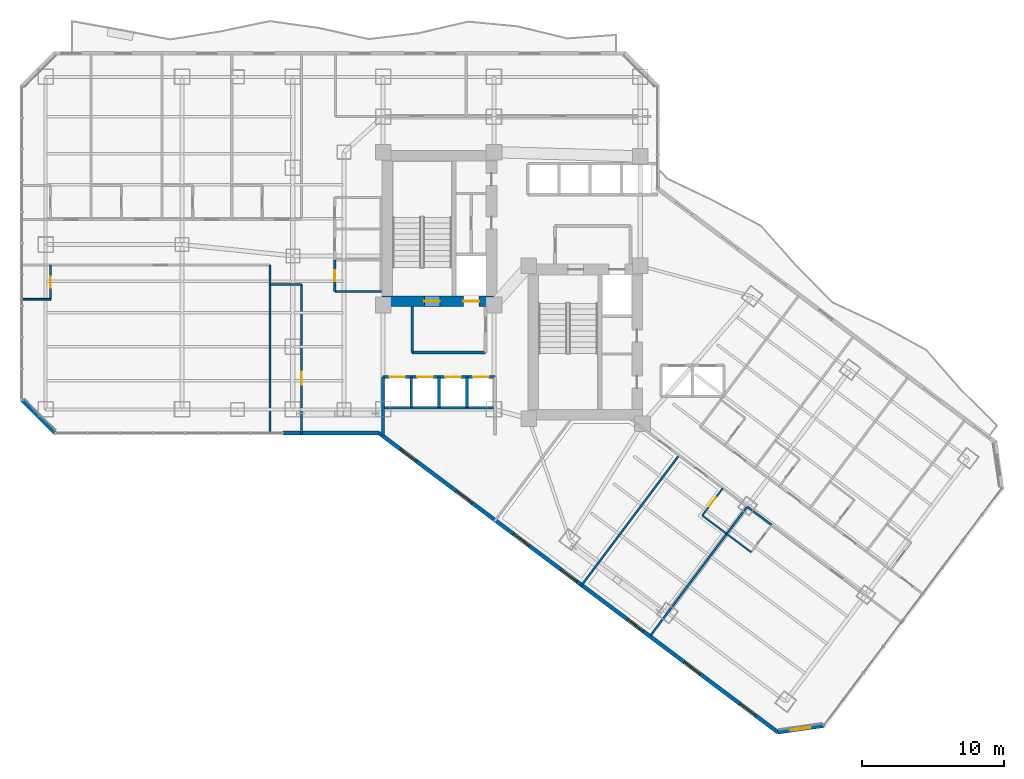
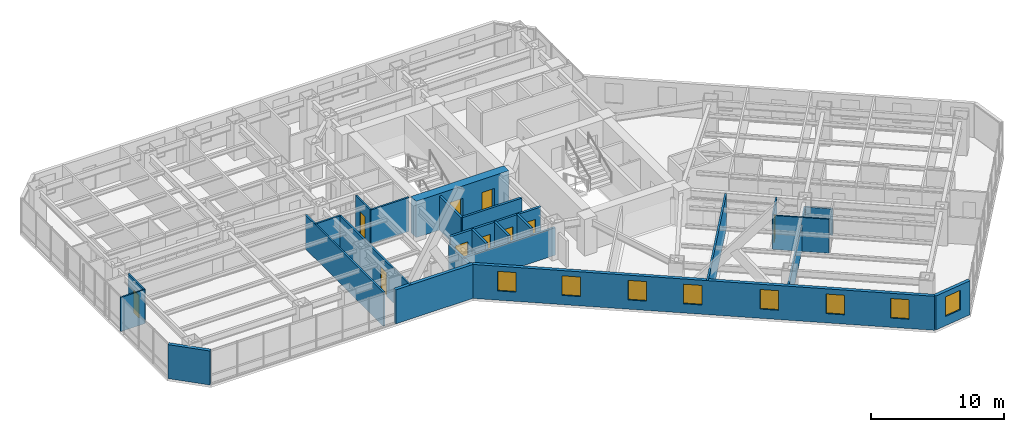
# One storey, part 23 of 33: 26 walls, 10 doors, 8 windows, 18 openings.
"""IFC4 building model written with IfcOpenShell, lengths in metres."""

import ifcopenshell
import ifcopenshell.guid

model = None  # the IFC model being written
_history = None  # IfcOwnerHistory: only IFC2X3 demands one
_inside = {}  # id of a spatial element -> (the spatial element, [elements in it])
_under = {}  # id of a project, library or spatial element -> (it, [spatial elements below it])
_declared = {}  # id of a project -> (the project, [libraries it declares])
_typed = {}  # id of a type object -> (the type object, [elements of that type])
_made_of = {}  # id of a material, layer set ... -> (it, [elements and type objects made of it])


def new_model(schema):
    """Start an empty IFC model of exactly this schema.

    Asked for "IFC4X3", IfcOpenShell would pick the latest addendum, in which some entities
    have other attributes; the version numbers below select the first issue.
    IFC2X3 requires an IfcOwnerHistory on every rooted entity: one is made here for all.
    """
    global model, _history
    if schema == "IFC4X3":
        model = ifcopenshell.file(schema_version=(4, 3, 0, 0))
    else:
        model = ifcopenshell.file(schema=schema)
    _inside.clear()
    _under.clear()
    _declared.clear()
    _typed.clear()
    _made_of.clear()
    _history = None
    if model.schema == "IFC2X3":
        org = make("IfcOrganization", Name="unknown")
        user = make(
            "IfcPersonAndOrganization",
            ThePerson=make("IfcPerson", FamilyName="unknown"),
            TheOrganization=org,
        )
        app = make(
            "IfcApplication",
            ApplicationDeveloper=org,
            Version="unknown",
            ApplicationFullName="unknown",
            ApplicationIdentifier="unknown",
        )
        _history = make(
            "IfcOwnerHistory",
            OwningUser=user,
            OwningApplication=app,
            ChangeAction="ADDED",
            CreationDate=0,
        )
    return model


def make(cls, **values):
    """One entity of the class cls with the attributes given. An attribute that is None is left unset."""
    return model.create_entity(
        cls, **{name: value for name, value in values.items() if value is not None}
    )


def rooted(cls, **values):
    """An entity with a GlobalId (a new one), such as an element, a storey or a relation."""
    return make(cls, GlobalId=ifcopenshell.guid.new(), OwnerHistory=_history, **values)


def si_unit(unit_type, name, prefix=None):
    """IfcSIUnit, for example si_unit("LENGTHUNIT", "METRE", prefix="MILLI")."""
    return make("IfcSIUnit", UnitType=unit_type, Prefix=prefix, Name=name)


def assignment(units):
    """IfcUnitAssignment: the units of a project."""
    return None if units is None else make("IfcUnitAssignment", Units=units)


def point(xyz):
    """IfcCartesianPoint."""
    return None if xyz is None else make("IfcCartesianPoint", Coordinates=xyz)


def direction(xyz):
    """IfcDirection."""
    return None if xyz is None else make("IfcDirection", DirectionRatios=xyz)


def frame(location, z_axis=None, x_axis=None):
    """IfcAxis2Placement3D, a coordinate frame: its origin and axes. An axis left out is left unset."""
    return make(
        "IfcAxis2Placement3D",
        Location=point(location),
        Axis=direction(z_axis),
        RefDirection=direction(x_axis),
    )


def frame_2d(location, x_axis=None):
    """IfcAxis2Placement2D, a coordinate frame in the plane: its origin and x axis."""
    return make(
        "IfcAxis2Placement2D", Location=point(location), RefDirection=direction(x_axis)
    )


def origin():
    """The frame at (0, 0, 0) with its axes left unset."""
    return frame((0.0, 0.0, 0.0))


def place(relative_to, where):
    """IfcLocalPlacement: puts the frame where relative to a parent placement (None: the world)."""
    return make(
        "IfcLocalPlacement", PlacementRelTo=relative_to, RelativePlacement=where
    )


def context(
    kind, dimensions, precision=None, world=None, true_north=None, identifier=None
):
    """IfcGeometricRepresentationContext, for example the 3D "Model" context."""
    return make(
        "IfcGeometricRepresentationContext",
        ContextIdentifier=identifier,
        ContextType=kind,
        CoordinateSpaceDimension=dimensions,
        Precision=precision,
        WorldCoordinateSystem=world,
        TrueNorth=true_north,
    )


def subcontext(parent, identifier, kind, view, scale=None):
    """IfcGeometricRepresentationSubContext, for example "Body" below "Model"."""
    return make(
        "IfcGeometricRepresentationSubContext",
        ContextIdentifier=identifier,
        ContextType=kind,
        ParentContext=parent,
        TargetScale=scale,
        TargetView=view,
    )


def project(units=None, contexts=None):
    """IfcProject with its units and contexts."""
    return rooted(
        "IfcProject",
        Name="project",
        RepresentationContexts=contexts,
        UnitsInContext=assignment(units),
    )


def spatial(cls, under=None, at=None, **own):
    """A site, building, storey or space (cls), placed at a placement, below another one or the project."""
    s = rooted(cls, ObjectPlacement=at, **own)
    if under is not None:
        _under.setdefault(under.id(), (under, []))[1].append(s)
    return s


def profile(cls, at=None, kind="AREA", **sizes):
    """A parametric profile (cls). Its sizes go by their IFC names, for example OverallWidth=200.0."""
    return make(cls, ProfileType=kind, Position=at, **sizes)


def rectangle(**sizes):
    """IfcRectangleProfileDef."""
    return profile("IfcRectangleProfileDef", **sizes)


def extrude(swept, where, along, depth):
    """IfcExtrudedAreaSolid: the profile swept, set in the frame where, extruded along a direction by depth."""
    return make(
        "IfcExtrudedAreaSolid",
        SweptArea=swept,
        Position=where,
        ExtrudedDirection=direction(along),
        Depth=depth,
    )


def shape(context_of_items, identifier, shape_type, items):
    """IfcShapeRepresentation: the items that make up one representation, for example the "Body"."""
    return make(
        "IfcShapeRepresentation",
        ContextOfItems=context_of_items,
        RepresentationIdentifier=identifier,
        RepresentationType=shape_type,
        Items=items,
    )


def material(Name=None, Category=None):
    """IfcMaterial."""
    return make("IfcMaterial", Name=Name, Category=Category)


def layer(
    of_material, thickness, ventilated=None, Name=None, Category=None, Priority=None
):
    """IfcMaterialLayer: one layer of a wall or slab, of a material (None: an air gap)."""
    return make(
        "IfcMaterialLayer",
        Material=of_material,
        LayerThickness=thickness,
        IsVentilated=ventilated,
        Name=Name,
        Category=Category,
        Priority=Priority,
    )


def layer_set(layers, Name=None):
    """IfcMaterialLayerSet."""
    return make("IfcMaterialLayerSet", MaterialLayers=layers, LayerSetName=Name)


def made_of(thing, what):
    """Note that an element or type object is made of a material, layer set ...; save() writes the relation."""
    if what is not None:
        _made_of.setdefault(what.id(), (what, []))[1].append(thing)
    return thing


def type_object(cls, material=None, **own):
    """A type object (cls), such as IfcWallType, which elements share."""
    return made_of(rooted(cls, **own), material)


def element(
    cls,
    number,
    at=None,
    inside=None,
    cuts=None,
    type_object=None,
    material=None,
    context=None,
    identifier="Body",
    shape_type=None,
    held_by="IfcProductDefinitionShape",
    body=None,
    shapes=None,
    **own,
):
    """One element of the class cls, such as IfcWall. Its Tag is "e" and its number.

    at: its placement. inside: the storey or other place that contains it. cuts: it is an
    opening in that element (IfcRelVoidsElement). A single representation is given by context,
    identifier, shape_type and body (its items); several are given by shapes. held_by: the class
    of the entity that holds the representations. save() writes the other relations.
    """
    e = rooted(cls, Tag="e%d" % number, ObjectPlacement=at, **own)
    if body is not None:
        shapes = [shape(context, identifier, shape_type, body)]
    if shapes is not None:
        e.Representation = make(held_by, Representations=shapes)
    if inside is not None:
        _inside.setdefault(inside.id(), (inside, []))[1].append(e)
    if cuts is not None:
        rooted(
            "IfcRelVoidsElement", RelatingBuildingElement=cuts, RelatedOpeningElement=e
        )
    if type_object is not None:
        _typed.setdefault(type_object.id(), (type_object, []))[1].append(e)
    return made_of(e, material)


def fill(opening, filler):
    """IfcRelFillsElement: the door or window that sits in an opening."""
    return rooted(
        "IfcRelFillsElement",
        RelatingOpeningElement=opening,
        RelatedBuildingElement=filler,
    )


def aggregate(whole, parts):
    """IfcRelAggregates: a whole, such as a stair, and the parts it consists of."""
    return rooted("IfcRelAggregates", RelatingObject=whole, RelatedObjects=parts)


def save(model, path):
    """Write the relations noted so far, then the file.

    IfcRelAggregates (storeys below a building ...), IfcRelContainedInSpatialStructure (elements
    in a storey), IfcRelDefinesByType, IfcRelAssociatesMaterial and IfcRelDeclares: one each for
    every whole, place, type object, material and project.
    """
    for whole, parts in _under.values():
        aggregate(whole, parts)
    for where, things in _inside.values():
        rooted(
            "IfcRelContainedInSpatialStructure",
            RelatedElements=things,
            RelatingStructure=where,
        )
    for kind, things in _typed.values():
        rooted("IfcRelDefinesByType", RelatedObjects=things, RelatingType=kind)
    for what, things in _made_of.values():
        rooted("IfcRelAssociatesMaterial", RelatedObjects=things, RelatingMaterial=what)
    for by, libraries in _declared.values():
        rooted("IfcRelDeclares", RelatingContext=by, RelatedDefinitions=libraries)
    model.write(path)


model = new_model("IFC4")

# Units and contexts
model_context = context("Model", 3, precision=1e-05, world=origin(), true_north=direction((0.0, 1.0)))
body_context = subcontext(model_context, "Body", "Model", "MODEL_VIEW")
ifc_project = project(units=[si_unit("LENGTHUNIT", "METRE"), si_unit("AREAUNIT", "SQUARE_METRE"), si_unit("VOLUMEUNIT", "CUBIC_METRE"), si_unit("PLANEANGLEUNIT", "RADIAN"), si_unit("MASSUNIT", "GRAM", prefix="KILO")], contexts=[model_context])

# Site, building, storey
site_placement = place(None, origin())
site = spatial("IfcSite", under=ifc_project, at=site_placement, CompositionType="ELEMENT")
building_placement = place(site_placement, origin())
building = spatial("IfcBuilding", under=site, at=building_placement, Name="Hatsunagi Terrace Concourse", CompositionType="ELEMENT")
storey_placement = place(building_placement, frame((0.0, 0.0, 43.300048828125)))
storey = spatial("IfcBuildingStorey", under=building, at=storey_placement, Name="L10", CompositionType="ELEMENT", Elevation=43.300048828125)

# Wall, openings, doors
ifc_material_1 = material(Name="Concrete Fc60", Category="concrete")
ifc_layer_1 = layer(ifc_material_1, 0.75)
ifc_layer_set_1 = layer_set([ifc_layer_1], Name="CoreShearWall_Fc60_750")
wall_type_1 = type_object("IfcWallType", Name="CoreShearWall_Fc60_750", PredefinedType="SHEAR", material=ifc_layer_set_1)
wall_1_placement = place(storey_placement, frame((25.469970703125, 32.81494140625, 0.0), z_axis=(0.0, 0.0, 1.0), x_axis=(1.0, 0.0, 0.0)))
wall_1 = element("IfcWall", 1, at=wall_1_placement, inside=storey, type_object=wall_type_1, Name="Core A Shear Wall S L10", PredefinedType="SHEAR", context=body_context, shape_type="SweptSolid", body=[
    extrude(rectangle(XDim=8.080078125, YDim=0.75, at=frame_2d((4.0400390625, 0.0))), origin(), (0.0, 0.0, 1.0), 3.349853515625),
])
opening_1_placement = place(wall_1_placement, frame((2.97998046875, 0.0, 0.0)))
opening_1 = element("IfcOpeningElement", 2, at=opening_1_placement, cuts=wall_1, Name="Opening DR-110S", PredefinedType="OPENING", context=body_context, shape_type="SweptSolid", body=[
    extrude(rectangle(XDim=1.10009765625, YDim=2.199951171875, at=frame_2d((0.550048828125, 1.10009765625))), frame((0.0, 0.385009765625, 0.0), z_axis=(0.0, -1.0, 0.0), x_axis=(1.0, 0.0, 0.0)), (0.0, 0.0, 1.0), 0.77001953125),
])
opening_2_placement = place(wall_1_placement, frame((5.72998046875, 0.0, 0.0)))
opening_2 = element("IfcOpeningElement", 3, at=opening_2_placement, cuts=wall_1, Name="Opening LD-01", PredefinedType="OPENING", context=body_context, shape_type="SweptSolid", body=[
    extrude(rectangle(XDim=1.10009765625, YDim=2.14990234375, at=frame_2d((0.550048828125, 1.074951171875))), frame((0.0, 0.385009765625, 0.0), z_axis=(0.0, -1.0, 0.0), x_axis=(1.0, 0.0, 0.0)), (0.0, 0.0, 1.0), 0.77001953125),
])
ifc_material_2 = material(Name="Stainless steel", Category="steel")
door_type_1 = type_object("IfcDoorType", Name="LiftLandingDoor_LD01", OperationType="SLIDING_TO_LEFT", PredefinedType="USERDEFINED", material=ifc_material_2)
door_1_placement = place(opening_2_placement, origin())
door_1 = element("IfcDoor", 4, at=door_1_placement, inside=storey, type_object=door_type_1, Name="Lift landing door FF-01 L10", ObjectType="SLIDING_LANDING_DOOR", OperationType="SLIDING_TO_LEFT", OverallHeight=2.14990234375, OverallWidth=1.10009765625, PredefinedType="USERDEFINED", context=body_context, shape_type="SweptSolid", body=[
    extrude(rectangle(XDim=1.10009765625, YDim=2.14990234375, at=frame_2d((0.550048828125, 1.074951171875))), frame((0.0, 0.02490234375, 0.0), z_axis=(0.0, -1.0, 0.0), x_axis=(1.0, 0.0, 0.0)), (0.0, 0.0, 1.0), 0.050048828125),
])
fill(opening_2, door_1)
ifc_material_3 = material(Name="Painted steel", Category="steel")
door_type_2 = type_object("IfcDoorType", Name="StairFireDoor_EI60_1100", OperationType="NOTDEFINED", PredefinedType="DOOR", material=ifc_material_3)
door_2_placement = place(opening_1_placement, origin())
door_2 = element("IfcDoor", 5, at=door_2_placement, inside=storey, type_object=door_type_2, Name="Stair ST-A Exit Door L10", OperationType="SINGLE_SWING_LEFT", OverallHeight=2.199951171875, OverallWidth=1.10009765625, PredefinedType="DOOR", context=body_context, shape_type="SweptSolid", body=[
    extrude(rectangle(XDim=1.10009765625, YDim=2.199951171875, at=frame_2d((0.550048828125, 1.10009765625))), frame((0.0, 0.02490234375, 0.0), z_axis=(0.0, -1.0, 0.0), x_axis=(1.0, 0.0, 0.0)), (0.0, 0.0, 1.0), 0.050048828125),
])
fill(opening_1, door_2)

# Wall, opening, door
ifc_material_4 = material(Name="Acoustic mineral board", Category="gypsum")
ifc_layer_2 = layer(ifc_material_4, 0.1201171875)
ifc_layer_set_2 = layer_set([ifc_layer_2], Name="PartitionWall_EI30_120")
wall_type_2 = type_object("IfcWallType", Name="PartitionWall_EI30_120", PredefinedType="PARTITIONING", material=ifc_layer_set_2)
wall_2_placement = place(storey_placement, frame((2.14990234375, 32.949951171875, 0.0), z_axis=(0.0, 0.0, 1.0), x_axis=(0.0, 1.0, 0.0)))
wall_2 = element("IfcWall", 6, at=wall_2_placement, inside=storey, type_object=wall_type_2, Name="Interior Partition IW-L10-067", PredefinedType="PARTITIONING", context=body_context, shape_type="SweptSolid", body=[
    extrude(rectangle(XDim=2.400146484375, YDim=0.1201171875, at=frame_2d((1.2001953125, 0.0))), origin(), (0.0, 0.0, 1.0), 3.1298828125),
])
opening_3_placement = place(wall_2_placement, frame((0.800048828125, 0.0, 0.0)))
opening_3 = element("IfcOpeningElement", 7, at=opening_3_placement, cuts=wall_2, Name="Opening DR-080", PredefinedType="OPENING", context=body_context, shape_type="SweptSolid", body=[
    extrude(rectangle(XDim=0.800048828125, YDim=2.06005859375, at=frame_2d((0.39990234375, 1.030029296875))), frame((0.0, 0.070068359375, 0.0), z_axis=(0.0, -1.0, 0.0), x_axis=(1.0, 0.0, 0.0)), (0.0, 0.0, 1.0), 0.14013671875),
])
ifc_material_5 = material(Name="Hardwood timber", Category="wood")
door_type_3 = type_object("IfcDoorType", Name="BathroomDoor_800", OperationType="NOTDEFINED", PredefinedType="DOOR", material=ifc_material_5)
door_3_placement = place(opening_3_placement, origin())
door_3 = element("IfcDoor", 8, at=door_3_placement, inside=storey, type_object=door_type_3, Name="En-Suite Bathroom L10-S1 Door", OperationType="SINGLE_SWING_RIGHT", OverallHeight=2.06005859375, OverallWidth=0.800048828125, PredefinedType="DOOR", context=body_context, shape_type="SweptSolid", body=[
    extrude(rectangle(XDim=0.800048828125, YDim=2.06005859375, at=frame_2d((0.39990234375, 1.030029296875))), frame((0.0, 0.02490234375, 0.0), z_axis=(0.0, -1.0, 0.0), x_axis=(1.0, 0.0, 0.0)), (0.0, 0.0, 1.0), 0.050048828125),
])
fill(opening_3, door_3)

# Wall
wall_3_placement = place(storey_placement, frame((0.0400390625, 32.949951171875, 0.0), z_axis=(0.0, 0.0, 1.0), x_axis=(1.0, 0.0, 0.0)))
element("IfcWall", 9, at=wall_3_placement, inside=storey, type_object=wall_type_2, Name="Interior Partition IW-L10-068", PredefinedType="PARTITIONING", context=body_context, shape_type="SweptSolid", body=[
    extrude(rectangle(XDim=2.10986328125, YDim=0.1201171875, at=frame_2d((1.054931640625, 0.0))), origin(), (0.0, 0.0, 1.0), 3.1298828125),
])

# Wall, opening, door
wall_4_placement = place(storey_placement, frame((48.010009765625, 17.72998046875, 0.0), z_axis=(0.0, 0.0, 1.0), x_axis=(0.6, 0.8, 0.0)))
wall_4 = element("IfcWall", 10, at=wall_4_placement, inside=storey, type_object=wall_type_2, Name="Interior Partition IW-L10-094", PredefinedType="PARTITIONING", context=body_context, shape_type="SweptSolid", body=[
    extrude(rectangle(XDim=2.39990234375, YDim=0.1201171875, at=frame_2d((1.199951171875, 0.0))), origin(), (0.0, 0.0, 1.0), 3.1298828125),
])
opening_4_placement = place(wall_4_placement, frame((0.800048828125, 0.0, 0.0)))
opening_4 = element("IfcOpeningElement", 11, at=opening_4_placement, cuts=wall_4, Name="Opening DR-080", PredefinedType="OPENING", context=body_context, shape_type="SweptSolid", body=[
    extrude(rectangle(XDim=0.800048828125, YDim=2.06005859375, at=frame_2d((0.39990234375, 1.030029296875))), frame((0.0, 0.070068359375, 0.0), z_axis=(0.0, -1.0, 0.0), x_axis=(1.0, 0.0, 0.0)), (0.0, 0.0, 1.0), 0.14013671875),
])
door_4_placement = place(opening_4_placement, origin())
door_4 = element("IfcDoor", 12, at=door_4_placement, inside=storey, type_object=door_type_3, Name="En-Suite Bathroom L10-SESW1 Door", OperationType="SINGLE_SWING_LEFT", OverallHeight=2.06005859375, OverallWidth=0.800048828125, PredefinedType="DOOR", context=body_context, shape_type="SweptSolid", body=[
    extrude(rectangle(XDim=0.800048828125, YDim=2.06005859375, at=frame_2d((0.39990234375, 1.030029296875))), frame((0.0, 0.02490234375, 0.0), z_axis=(0.0, -1.0, 0.0), x_axis=(1.0, 0.0, 0.0)), (0.0, 0.0, 1.0), 0.050048828125),
])
fill(opening_4, door_4)

# Walls
for number, where, z_axis, x_axis, name in (
    (13, (48.010009765625, 17.72998046875, 0.0), (0.0, 0.0, 1.0), (0.79998637334, -0.60001816845, 0.0), "Interior Partition IW-L10-095"),
    (14, (49.72998046875, 16.43994140625, 0.0), (0.0, 0.0, 1.0), (0.79998637334, -0.60001816845, 0.0), "Interior Partition IW-L10-100"),
):
    element("IfcWall", number, at=place(storey_placement, frame(where, z_axis=z_axis, x_axis=x_axis)), inside=storey, type_object=wall_type_2, Name=name, PredefinedType="PARTITIONING", context=body_context, shape_type="SweptSolid", body=[
        extrude(rectangle(XDim=2.14990234375, YDim=0.1201171875, at=frame_2d((1.074951171875, 0.0))), origin(), (0.0, 0.0, 1.0), 3.1298828125),
    ])
ifc_material_6 = material(Name="Acoustic mineral board", Category="gypsum")
ifc_layer_3 = layer(ifc_material_6, 0.14990234375)
ifc_layer_set_3 = layer_set([ifc_layer_3], Name="PartitionWall_EI60_150")
wall_type_3 = type_object("IfcWallType", Name="PartitionWall_EI60_150", PredefinedType="PARTITIONING", material=ifc_layer_set_3)
wall_5_placement = place(storey_placement, frame((22.14990234375, 33.5, 0.0), z_axis=(0.0, 0.0, 1.0), x_axis=(1.0, 0.0, 0.0)))
element("IfcWall", 15, at=wall_5_placement, inside=storey, type_object=wall_type_3, Name="Interior Partition IW-L10-030", PredefinedType="PARTITIONING", context=body_context, shape_type="SweptSolid", body=[
    extrude(rectangle(XDim=3.300048828125, YDim=0.14990234375, at=frame_2d((1.64990234375, 0.0))), origin(), (0.0, 0.0, 1.0), 3.1298828125),
])

# Wall, opening, door
wall_6_placement = place(storey_placement, frame((22.14990234375, 33.5, 0.0), z_axis=(0.0, 0.0, 1.0), x_axis=(0.0, 1.0, 0.0)))
wall_6 = element("IfcWall", 16, at=wall_6_placement, inside=storey, type_object=wall_type_3, Name="Interior Partition IW-L10-035", PredefinedType="PARTITIONING", context=body_context, shape_type="SweptSolid", body=[
    extrude(rectangle(XDim=2.199951171875, YDim=0.14990234375, at=frame_2d((1.10009765625, 0.0))), origin(), (0.0, 0.0, 1.0), 3.1298828125),
])
opening_5_placement = place(wall_6_placement, frame((0.699951171875, 0.0, 0.0)))
opening_5 = element("IfcOpeningElement", 17, at=opening_5_placement, cuts=wall_6, Name="Opening DR-080", PredefinedType="OPENING", context=body_context, shape_type="SweptSolid", body=[
    extrude(rectangle(XDim=0.800048828125, YDim=2.06005859375, at=frame_2d((0.39990234375, 1.030029296875))), frame((0.0, 0.0849609375, 0.0), z_axis=(0.0, -1.0, 0.0), x_axis=(1.0, 0.0, 0.0)), (0.0, 0.0, 1.0), 0.169921875),
])
door_5_placement = place(opening_5_placement, origin())
door_5 = element("IfcDoor", 18, at=door_5_placement, inside=storey, type_object=door_type_3, Name="Accessible WC Door L10", OperationType="SINGLE_SWING_RIGHT", OverallHeight=2.06005859375, OverallWidth=0.800048828125, PredefinedType="DOOR", context=body_context, shape_type="SweptSolid", body=[
    extrude(rectangle(XDim=0.800048828125, YDim=2.06005859375, at=frame_2d((0.39990234375, 1.030029296875))), frame((0.0, 0.02490234375, 0.0), z_axis=(0.0, -1.0, 0.0), x_axis=(1.0, 0.0, 0.0)), (0.0, 0.0, 1.0), 0.050048828125),
])
fill(opening_5, door_5)

# Walls
wall_7_placement = place(storey_placement, frame((39.464111328125, 12.751953125, 0.0), z_axis=(0.0, 0.0, 1.0), x_axis=(0.6, 0.8, 0.0)))
element("IfcWall", 19, at=wall_7_placement, inside=storey, type_object=wall_type_3, Name="Interior Partition IW-L10-044", PredefinedType="PARTITIONING", context=body_context, shape_type="SweptSolid", body=[
    extrude(rectangle(XDim=11.510009765625, YDim=0.14990234375, at=frame_2d((5.7548828125, 0.0))), origin(), (0.0, 0.0, 1.0), 3.1298828125),
])
wall_8_placement = place(storey_placement, frame((17.60009765625, 23.60009765625, 0.0), z_axis=(0.0, 0.0, 1.0), x_axis=(0.0, 1.0, 0.0)))
element("IfcWall", 20, at=wall_8_placement, inside=storey, type_object=wall_type_3, Name="Interior Partition IW-L10-069", PredefinedType="PARTITIONING", context=body_context, shape_type="SweptSolid", body=[
    extrude(rectangle(XDim=11.75, YDim=0.14990234375, at=frame_2d((5.875, 0.0))), origin(), (0.0, 0.0, 1.0), 3.1298828125),
])
wall_9_placement = place(storey_placement, frame((17.60009765625, 34.0, 0.0), z_axis=(0.0, 0.0, 1.0), x_axis=(1.0, 0.0, 0.0)))
element("IfcWall", 21, at=wall_9_placement, inside=storey, type_object=wall_type_3, Name="Interior Partition IW-L10-070", PredefinedType="PARTITIONING", context=body_context, shape_type="SweptSolid", body=[
    extrude(rectangle(XDim=2.199951171875, YDim=0.14990234375, at=frame_2d((1.10009765625, 0.0))), origin(), (0.0, 0.0, 1.0), 3.1298828125),
])

# Wall, opening, door
wall_10_placement = place(storey_placement, frame((19.800048828125, 23.43994140625, 0.0), z_axis=(0.0, 0.0, 1.0), x_axis=(0.0, 1.0, 0.0)))
wall_10 = element("IfcWall", 22, at=wall_10_placement, inside=storey, type_object=wall_type_3, Name="Interior Partition IW-L10-071", PredefinedType="PARTITIONING", context=body_context, shape_type="SweptSolid", body=[
    extrude(rectangle(XDim=10.56005859375, YDim=0.14990234375, at=frame_2d((5.280029296875, 0.0))), origin(), (0.0, 0.0, 1.0), 3.1298828125),
])
opening_6_placement = place(wall_10_placement, frame((3.4951171875, 0.0, 0.0)))
opening_6 = element("IfcOpeningElement", 23, at=opening_6_placement, cuts=wall_10, Name="Opening DR-090", PredefinedType="OPENING", context=body_context, shape_type="SweptSolid", body=[
    extrude(rectangle(XDim=0.89990234375, YDim=2.14990234375, at=frame_2d((0.449951171875, 1.074951171875))), frame((0.0, 0.0849609375, 0.0), z_axis=(0.0, -1.0, 0.0), x_axis=(1.0, 0.0, 0.0)), (0.0, 0.0, 1.0), 0.169921875),
])
ifc_material_7 = material(Name="Hardwood timber", Category="wood")
door_type_4 = type_object("IfcDoorType", Name="CrownPavilionDoor_EI30_900", OperationType="NOTDEFINED", PredefinedType="DOOR", material=ifc_material_7)
door_6_placement = place(opening_6_placement, origin())
door_6 = element("IfcDoor", 24, at=door_6_placement, inside=storey, type_object=door_type_4, Name="Catering Pantry L10-HPAN Door", OperationType="SINGLE_SWING_RIGHT", OverallHeight=2.14990234375, OverallWidth=0.89990234375, PredefinedType="DOOR", context=body_context, shape_type="SweptSolid", body=[
    extrude(rectangle(XDim=0.89990234375, YDim=2.14990234375, at=frame_2d((0.449951171875, 1.074951171875))), frame((0.0, 0.02490234375, 0.0), z_axis=(0.0, -1.0, 0.0), x_axis=(1.0, 0.0, 0.0)), (0.0, 0.0, 1.0), 0.050048828125),
])
fill(opening_6, door_6)

# Walls
wall_11_placement = place(storey_placement, frame((44.360107421875, 9.280029296875, 0.0), z_axis=(0.0, 0.0, 1.0), x_axis=(0.599986233332, 0.800010324816, 0.0)))
element("IfcWall", 25, at=wall_11_placement, inside=storey, type_object=wall_type_3, Name="Interior Partition IW-L10-096", PredefinedType="PARTITIONING", context=body_context, shape_type="SweptSolid", body=[
    extrude(rectangle(XDim=11.349853515625, YDim=0.14990234375, at=frame_2d((5.6748046875, 0.0))), origin(), (0.0, 0.0, 1.0), 2.425048828125),
])
wall_12_placement = place(storey_placement, frame((51.169921875, 18.360107421875, 0.0), z_axis=(0.0, 0.0, 1.0), x_axis=(0.79998637334, -0.60001816845, 0.0)))
element("IfcWall", 26, at=wall_12_placement, inside=storey, type_object=wall_type_3, Name="Interior Partition IW-L10-097", PredefinedType="PARTITIONING", context=body_context, shape_type="SweptSolid", body=[
    extrude(rectangle(XDim=2.14990234375, YDim=0.14990234375, at=frame_2d((1.074951171875, 0.0))), origin(), (0.0, 0.0, 1.0), 2.425048828125),
])
ifc_material_8 = material(Name="Acoustic mineral board", Category="gypsum")
ifc_layer_4 = layer(ifc_material_8, 0.199951171875)
ifc_layer_set_4 = layer_set([ifc_layer_4], Name="ShaftWall_EI120_200")
wall_type_4 = type_object("IfcWallType", Name="ShaftWall_EI120_200", PredefinedType="STANDARD", material=ifc_layer_set_4)
wall_13_placement = place(storey_placement, frame((27.60009765625, 29.199951171875, 0.0), z_axis=(0.0, 0.0, 1.0), x_axis=(1.0, 0.0, 0.0)))
element("IfcWall", 27, at=wall_13_placement, inside=storey, type_object=wall_type_4, Name="Interior Partition IW-L10-006", PredefinedType="STANDARD", context=body_context, shape_type="SweptSolid", body=[
    extrude(rectangle(XDim=5.14990234375, YDim=0.199951171875, at=frame_2d((2.574951171875, 0.0))), origin(), (0.0, 0.0, 1.0), 3.1298828125),
])
wall_14_placement = place(storey_placement, frame((27.60009765625, 29.199951171875, 0.0), z_axis=(0.0, 0.0, 1.0), x_axis=(0.0, 1.0, 0.0)))
element("IfcWall", 28, at=wall_14_placement, inside=storey, type_object=wall_type_4, Name="Interior Partition IW-L10-007", PredefinedType="STANDARD", context=body_context, shape_type="SweptSolid", body=[
    extrude(rectangle(XDim=3.239990234375, YDim=0.199951171875, at=frame_2d((1.6201171875, 0.0))), origin(), (0.0, 0.0, 1.0), 3.1298828125),
])
wall_15_placement = place(storey_placement, frame((25.550048828125, 23.39990234375, 0.0), z_axis=(0.0, 0.0, 1.0), x_axis=(0.0, 1.0, 0.0)))
element("IfcWall", 29, at=wall_15_placement, inside=storey, type_object=wall_type_4, Name="Interior Partition IW-L10-012", PredefinedType="STANDARD", context=body_context, shape_type="SweptSolid", body=[
    extrude(rectangle(XDim=4.080078125, YDim=0.199951171875, at=frame_2d((2.0400390625, 0.0))), origin(), (0.0, 0.0, 1.0), 2.425048828125),
])
wall_16_placement = place(storey_placement, frame((25.550048828125, 25.320068359375, 0.0), z_axis=(0.0, 0.0, 1.0), x_axis=(1.0, 0.0, 0.0)))
element("IfcWall", 30, at=wall_16_placement, inside=storey, type_object=wall_type_4, Name="Interior Partition IW-L10-014", PredefinedType="STANDARD", context=body_context, shape_type="SweptSolid", body=[
    extrude(rectangle(XDim=7.8798828125, YDim=0.199951171875, at=frame_2d((3.93994140625, 0.0))), origin(), (0.0, 0.0, 1.0), 2.52490234375),
])
for number, where, z_axis, x_axis, name in (
    (31, (27.530029296875, 25.320068359375, 0.0), (0.0, 0.0, 1.0), (0.0, 1.0, 0.0), "Interior Partition IW-L10-015"),
    (32, (29.489990234375, 25.320068359375, 0.0), (0.0, 0.0, 1.0), (0.0, 1.0, 0.0), "Interior Partition IW-L10-016"),
    (33, (31.449951171875, 25.320068359375, 0.0), (0.0, 0.0, 1.0), (0.0, 1.0, 0.0), "Interior Partition IW-L10-017"),
):
    element("IfcWall", number, at=place(storey_placement, frame(where, z_axis=z_axis, x_axis=x_axis)), inside=storey, type_object=wall_type_4, Name=name, PredefinedType="STANDARD", context=body_context, shape_type="SweptSolid", body=[
        extrude(rectangle(XDim=2.159912109375, YDim=0.199951171875, at=frame_2d((1.080078125, 0.0))), origin(), (0.0, 0.0, 1.0), 3.1298828125),
    ])

# Wall, openings, doors
wall_17_placement = place(storey_placement, frame((25.550048828125, 27.47998046875, 0.0), z_axis=(0.0, 0.0, 1.0), x_axis=(1.0, 0.0, 0.0)))
wall_17 = element("IfcWall", 34, at=wall_17_placement, inside=storey, type_object=wall_type_4, Name="Interior Partition IW-L10-018", PredefinedType="STANDARD", context=body_context, shape_type="SweptSolid", body=[
    extrude(rectangle(XDim=7.8798828125, YDim=0.199951171875, at=frame_2d((3.93994140625, 0.0))), origin(), (0.0, 0.0, 1.0), 3.1298828125),
])
opening_7_placement = place(wall_17_placement, frame((0.4599609375, 0.0, 0.0)))
opening_7 = element("IfcOpeningElement", 35, at=opening_7_placement, cuts=wall_17, Name="Opening LD-03", PredefinedType="OPENING", context=body_context, shape_type="SweptSolid", body=[
    extrude(rectangle(XDim=1.080078125, YDim=2.14990234375, at=frame_2d((0.5400390625, 1.074951171875))), frame((0.0, 0.10986328125, 0.0), z_axis=(0.0, -1.0, 0.0), x_axis=(1.0, 0.0, 0.0)), (0.0, 0.0, 1.0), 0.219970703125),
])
opening_8_placement = place(wall_17_placement, frame((2.419921875, 0.0, 0.0)))
opening_8 = element("IfcOpeningElement", 36, at=opening_8_placement, cuts=wall_17, Name="Opening LD-03", PredefinedType="OPENING", context=body_context, shape_type="SweptSolid", body=[
    extrude(rectangle(XDim=1.080078125, YDim=2.14990234375, at=frame_2d((0.5400390625, 1.074951171875))), frame((0.0, 0.10986328125, 0.0), z_axis=(0.0, -1.0, 0.0), x_axis=(1.0, 0.0, 0.0)), (0.0, 0.0, 1.0), 0.219970703125),
])
opening_9_placement = place(wall_17_placement, frame((4.3798828125, 0.0, 0.0)))
opening_9 = element("IfcOpeningElement", 37, at=opening_9_placement, cuts=wall_17, Name="Opening LD-03", PredefinedType="OPENING", context=body_context, shape_type="SweptSolid", body=[
    extrude(rectangle(XDim=1.080078125, YDim=2.14990234375, at=frame_2d((0.5400390625, 1.074951171875))), frame((0.0, 0.10986328125, 0.0), z_axis=(0.0, -1.0, 0.0), x_axis=(1.0, 0.0, 0.0)), (0.0, 0.0, 1.0), 0.219970703125),
])
opening_10_placement = place(wall_17_placement, frame((6.340087890625, 0.0, 0.0)))
opening_10 = element("IfcOpeningElement", 38, at=opening_10_placement, cuts=wall_17, Name="Opening LD-03", PredefinedType="OPENING", context=body_context, shape_type="SweptSolid", body=[
    extrude(rectangle(XDim=1.080078125, YDim=2.14990234375, at=frame_2d((0.5400390625, 1.074951171875))), frame((0.0, 0.10986328125, 0.0), z_axis=(0.0, -1.0, 0.0), x_axis=(1.0, 0.0, 0.0)), (0.0, 0.0, 1.0), 0.219970703125),
])
ifc_material_9 = material(Name="Stainless steel", Category="steel")
door_type_5 = type_object("IfcDoorType", Name="LiftLandingDoor_LD03", OperationType="SLIDING_TO_LEFT", PredefinedType="USERDEFINED", material=ifc_material_9)
door_7_placement = place(opening_7_placement, origin())
door_7 = element("IfcDoor", 39, at=door_7_placement, inside=storey, type_object=door_type_5, Name="Lift landing door PL-01 L10", ObjectType="SLIDING_LANDING_DOOR", OperationType="SLIDING_TO_LEFT", OverallHeight=2.14990234375, OverallWidth=1.080078125, PredefinedType="USERDEFINED", context=body_context, shape_type="SweptSolid", body=[
    extrude(rectangle(XDim=1.080078125, YDim=2.14990234375, at=frame_2d((0.5400390625, 1.074951171875))), frame((0.0, 0.02490234375, 0.0), z_axis=(0.0, -1.0, 0.0), x_axis=(1.0, 0.0, 0.0)), (0.0, 0.0, 1.0), 0.050048828125),
])
fill(opening_7, door_7)
door_8_placement = place(opening_8_placement, origin())
door_8 = element("IfcDoor", 40, at=door_8_placement, inside=storey, type_object=door_type_5, Name="Lift landing door PL-02 L10", ObjectType="SLIDING_LANDING_DOOR", OperationType="SLIDING_TO_LEFT", OverallHeight=2.14990234375, OverallWidth=1.080078125, PredefinedType="USERDEFINED", context=body_context, shape_type="SweptSolid", body=[
    extrude(rectangle(XDim=1.080078125, YDim=2.14990234375, at=frame_2d((0.5400390625, 1.074951171875))), frame((0.0, 0.02490234375, 0.0), z_axis=(0.0, -1.0, 0.0), x_axis=(1.0, 0.0, 0.0)), (0.0, 0.0, 1.0), 0.050048828125),
])
fill(opening_8, door_8)
door_9_placement = place(opening_9_placement, origin())
door_9 = element("IfcDoor", 41, at=door_9_placement, inside=storey, type_object=door_type_5, Name="Lift landing door PL-03 L10", ObjectType="SLIDING_LANDING_DOOR", OperationType="SLIDING_TO_LEFT", OverallHeight=2.14990234375, OverallWidth=1.080078125, PredefinedType="USERDEFINED", context=body_context, shape_type="SweptSolid", body=[
    extrude(rectangle(XDim=1.080078125, YDim=2.14990234375, at=frame_2d((0.5400390625, 1.074951171875))), frame((0.0, 0.02490234375, 0.0), z_axis=(0.0, -1.0, 0.0), x_axis=(1.0, 0.0, 0.0)), (0.0, 0.0, 1.0), 0.050048828125),
])
fill(opening_9, door_9)
door_10_placement = place(opening_10_placement, origin())
door_10 = element("IfcDoor", 42, at=door_10_placement, inside=storey, type_object=door_type_5, Name="Lift landing door PL-04 L10", ObjectType="SLIDING_LANDING_DOOR", OperationType="SLIDING_TO_LEFT", OverallHeight=2.14990234375, OverallWidth=1.080078125, PredefinedType="USERDEFINED", context=body_context, shape_type="SweptSolid", body=[
    extrude(rectangle(XDim=1.080078125, YDim=2.14990234375, at=frame_2d((0.5400390625, 1.074951171875))), frame((0.0, 0.02490234375, 0.0), z_axis=(0.0, -1.0, 0.0), x_axis=(1.0, 0.0, 0.0)), (0.0, 0.0, 1.0), 0.050048828125),
])
fill(opening_10, door_10)

# Wall, opening, window
ifc_material_10 = material(Name="Autoclaved Lightweight Concrete and Terracotta Cladding", Category="masonry")
ifc_layer_5 = layer(ifc_material_10, 0.280029296875)
ifc_layer_set_5 = layer_set([ifc_layer_5], Name="TerracottaSpandrelWall_280")
wall_type_5 = type_object("IfcWallType", Name="TerracottaSpandrelWall_280", PredefinedType="STANDARD", material=ifc_layer_set_5)
wall_18_placement = place(storey_placement, frame((56.56298828125, 2.949951171875, 0.0), z_axis=(0.0, 0.0, 1.0), x_axis=(-0.989977778067, -0.141223223777, 0.0)))
wall_18 = element("IfcWall", 43, at=wall_18_placement, inside=storey, type_object=wall_type_5, Name="Exterior Spandrel Wall EW-L10-04", PredefinedType="STANDARD", context=body_context, shape_type="SweptSolid", body=[
    extrude(rectangle(XDim=3.27783203125, YDim=0.280029296875, at=frame_2d((1.638916015625, 0.0))), origin(), (0.0, 0.0, 1.0), 3.1298828125),
])
opening_11_placement = place(wall_18_placement, frame((0.93896484375, 0.0, 0.85009765625)))
opening_11 = element("IfcOpeningElement", 44, at=opening_11_placement, cuts=wall_18, Name="Opening WIN-02", PredefinedType="OPENING", context=body_context, shape_type="SweptSolid", body=[
    extrude(rectangle(XDim=1.39990234375, YDim=1.800048828125, at=frame_2d((0.699951171875, 0.89990234375))), frame((0.0, 0.14990234375, 0.0), z_axis=(0.0, -1.0, 0.0), x_axis=(1.0, 0.0, 0.0)), (0.0, 0.0, 1.0), 0.300048828125),
])
ifc_material_11 = material(Name="Thermally Broken Aluminium and Low-E Triple Glazing", Category="aluminium")
window_type = type_object("IfcWindowType", Name="HotelOperableVentWindow_1400x1800", PartitioningType="DOUBLE_PANEL_VERTICAL", PredefinedType="WINDOW", material=ifc_material_11)
window_1_placement = place(opening_11_placement, origin())
window_1 = element("IfcWindow", 45, at=window_1_placement, inside=storey, type_object=window_type, Name="Hotel Guestroom Window L10-04-1", OverallHeight=1.800048828125, OverallWidth=1.39990234375, PartitioningType="SINGLE_PANEL", PredefinedType="WINDOW", context=body_context, shape_type="SweptSolid", body=[
    extrude(rectangle(XDim=1.39990234375, YDim=1.800048828125, at=frame_2d((0.699951171875, 0.89990234375))), frame((0.0, 0.030029296875, 0.0), z_axis=(0.0, -1.0, 0.0), x_axis=(1.0, 0.0, 0.0)), (0.0, 0.0, 1.0), 0.06005859375),
])
fill(opening_11, window_1)

# Wall, openings, windows
wall_19_placement = place(storey_placement, frame((53.318115234375, 2.487060546875, 0.0), z_axis=(0.0, 0.0, 1.0), x_axis=(-0.800004174678, 0.599994433723, 0.0)))
wall_19 = element("IfcWall", 46, at=wall_19_placement, inside=storey, type_object=wall_type_5, Name="Exterior Spandrel Wall EW-L10-05", PredefinedType="STANDARD", context=body_context, shape_type="SweptSolid", body=[
    extrude(rectangle(XDim=35.088623046875, YDim=0.280029296875, at=frame_2d((17.54443359375, 0.0))), origin(), (0.0, 0.0, 1.0), 3.1298828125),
])
opening_12_placement = place(wall_19_placement, frame((1.930908203125, 0.0, 0.85009765625)))
opening_12 = element("IfcOpeningElement", 47, at=opening_12_placement, cuts=wall_19, Name="Opening WIN-02", PredefinedType="OPENING", context=body_context, shape_type="SweptSolid", body=[
    extrude(rectangle(XDim=1.39990234375, YDim=1.800048828125, at=frame_2d((0.699951171875, 0.89990234375))), frame((0.0, 0.14990234375, 0.0), z_axis=(0.0, -1.0, 0.0), x_axis=(1.0, 0.0, 0.0)), (0.0, 0.0, 1.0), 0.300048828125),
])
opening_13_placement = place(wall_19_placement, frame((6.819091796875, 0.0, 0.85009765625)))
opening_13 = element("IfcOpeningElement", 48, at=opening_13_placement, cuts=wall_19, Name="Opening WIN-02", PredefinedType="OPENING", context=body_context, shape_type="SweptSolid", body=[
    extrude(rectangle(XDim=1.39990234375, YDim=1.800048828125, at=frame_2d((0.699951171875, 0.89990234375))), frame((0.0, 0.14990234375, 0.0), z_axis=(0.0, -1.0, 0.0), x_axis=(1.0, 0.0, 0.0)), (0.0, 0.0, 1.0), 0.300048828125),
])
opening_14_placement = place(wall_19_placement, frame((11.83203125, 0.0, 0.85009765625)))
opening_14 = element("IfcOpeningElement", 49, at=opening_14_placement, cuts=wall_19, Name="Opening WIN-02", PredefinedType="OPENING", context=body_context, shape_type="SweptSolid", body=[
    extrude(rectangle(XDim=1.39990234375, YDim=1.800048828125, at=frame_2d((0.699951171875, 0.89990234375))), frame((0.0, 0.14990234375, 0.0), z_axis=(0.0, -1.0, 0.0), x_axis=(1.0, 0.0, 0.0)), (0.0, 0.0, 1.0), 0.300048828125),
])
opening_15_placement = place(wall_19_placement, frame((17.64697265625, 0.0, 0.85009765625)))
opening_15 = element("IfcOpeningElement", 50, at=opening_15_placement, cuts=wall_19, Name="Opening WIN-02", PredefinedType="OPENING", context=body_context, shape_type="SweptSolid", body=[
    extrude(rectangle(XDim=1.39990234375, YDim=1.800048828125, at=frame_2d((0.699951171875, 0.89990234375))), frame((0.0, 0.14990234375, 0.0), z_axis=(0.0, -1.0, 0.0), x_axis=(1.0, 0.0, 0.0)), (0.0, 0.0, 1.0), 0.300048828125),
])
opening_16_placement = place(wall_19_placement, frame((21.85693359375, 0.0, 0.85009765625)))
opening_16 = element("IfcOpeningElement", 51, at=opening_16_placement, cuts=wall_19, Name="Opening WIN-02", PredefinedType="OPENING", context=body_context, shape_type="SweptSolid", body=[
    extrude(rectangle(XDim=1.39990234375, YDim=1.800048828125, at=frame_2d((0.699951171875, 0.89990234375))), frame((0.0, 0.14990234375, 0.0), z_axis=(0.0, -1.0, 0.0), x_axis=(1.0, 0.0, 0.0)), (0.0, 0.0, 1.0), 0.300048828125),
])
opening_17_placement = place(wall_19_placement, frame((26.8701171875, 0.0, 0.85009765625)))
opening_17 = element("IfcOpeningElement", 52, at=opening_17_placement, cuts=wall_19, Name="Opening WIN-02", PredefinedType="OPENING", context=body_context, shape_type="SweptSolid", body=[
    extrude(rectangle(XDim=1.39990234375, YDim=1.800048828125, at=frame_2d((0.699951171875, 0.89990234375))), frame((0.0, 0.14990234375, 0.0), z_axis=(0.0, -1.0, 0.0), x_axis=(1.0, 0.0, 0.0)), (0.0, 0.0, 1.0), 0.300048828125),
])
opening_18_placement = place(wall_19_placement, frame((31.757080078125, 0.0, 0.85009765625)))
opening_18 = element("IfcOpeningElement", 53, at=opening_18_placement, cuts=wall_19, Name="Opening WIN-02", PredefinedType="OPENING", context=body_context, shape_type="SweptSolid", body=[
    extrude(rectangle(XDim=1.39990234375, YDim=1.800048828125, at=frame_2d((0.699951171875, 0.89990234375))), frame((0.0, 0.14990234375, 0.0), z_axis=(0.0, -1.0, 0.0), x_axis=(1.0, 0.0, 0.0)), (0.0, 0.0, 1.0), 0.300048828125),
])
window_2_placement = place(opening_12_placement, origin())
window_2 = element("IfcWindow", 54, at=window_2_placement, inside=storey, type_object=window_type, Name="Hotel Perimeter Window L10-05-1", OverallHeight=1.800048828125, OverallWidth=1.39990234375, PartitioningType="SINGLE_PANEL", PredefinedType="WINDOW", context=body_context, shape_type="SweptSolid", body=[
    extrude(rectangle(XDim=1.39990234375, YDim=1.800048828125, at=frame_2d((0.699951171875, 0.89990234375))), frame((0.0, 0.030029296875, 0.0), z_axis=(0.0, -1.0, 0.0), x_axis=(1.0, 0.0, 0.0)), (0.0, 0.0, 1.0), 0.06005859375),
])
fill(opening_12, window_2)
window_3_placement = place(opening_13_placement, origin())
window_3 = element("IfcWindow", 55, at=window_3_placement, inside=storey, type_object=window_type, Name="Hotel Perimeter Window L10-05-2", OverallHeight=1.800048828125, OverallWidth=1.39990234375, PartitioningType="SINGLE_PANEL", PredefinedType="WINDOW", context=body_context, shape_type="SweptSolid", body=[
    extrude(rectangle(XDim=1.39990234375, YDim=1.800048828125, at=frame_2d((0.699951171875, 0.89990234375))), frame((0.0, 0.030029296875, 0.0), z_axis=(0.0, -1.0, 0.0), x_axis=(1.0, 0.0, 0.0)), (0.0, 0.0, 1.0), 0.06005859375),
])
fill(opening_13, window_3)
window_4_placement = place(opening_14_placement, origin())
window_4 = element("IfcWindow", 56, at=window_4_placement, inside=storey, type_object=window_type, Name="Hotel Perimeter Window L10-05-3", OverallHeight=1.800048828125, OverallWidth=1.39990234375, PartitioningType="SINGLE_PANEL", PredefinedType="WINDOW", context=body_context, shape_type="SweptSolid", body=[
    extrude(rectangle(XDim=1.39990234375, YDim=1.800048828125, at=frame_2d((0.699951171875, 0.89990234375))), frame((0.0, 0.030029296875, 0.0), z_axis=(0.0, -1.0, 0.0), x_axis=(1.0, 0.0, 0.0)), (0.0, 0.0, 1.0), 0.06005859375),
])
fill(opening_14, window_4)
window_5_placement = place(opening_15_placement, origin())
window_5 = element("IfcWindow", 57, at=window_5_placement, inside=storey, type_object=window_type, Name="Hotel Perimeter Window L10-05-4", OverallHeight=1.800048828125, OverallWidth=1.39990234375, PartitioningType="SINGLE_PANEL", PredefinedType="WINDOW", context=body_context, shape_type="SweptSolid", body=[
    extrude(rectangle(XDim=1.39990234375, YDim=1.800048828125, at=frame_2d((0.699951171875, 0.89990234375))), frame((0.0, 0.030029296875, 0.0), z_axis=(0.0, -1.0, 0.0), x_axis=(1.0, 0.0, 0.0)), (0.0, 0.0, 1.0), 0.06005859375),
])
fill(opening_15, window_5)
window_6_placement = place(opening_16_placement, origin())
window_6 = element("IfcWindow", 58, at=window_6_placement, inside=storey, type_object=window_type, Name="Hotel Perimeter Window L10-05-5", OverallHeight=1.800048828125, OverallWidth=1.39990234375, PartitioningType="SINGLE_PANEL", PredefinedType="WINDOW", context=body_context, shape_type="SweptSolid", body=[
    extrude(rectangle(XDim=1.39990234375, YDim=1.800048828125, at=frame_2d((0.699951171875, 0.89990234375))), frame((0.0, 0.030029296875, 0.0), z_axis=(0.0, -1.0, 0.0), x_axis=(1.0, 0.0, 0.0)), (0.0, 0.0, 1.0), 0.06005859375),
])
fill(opening_16, window_6)
window_7_placement = place(opening_17_placement, origin())
window_7 = element("IfcWindow", 59, at=window_7_placement, inside=storey, type_object=window_type, Name="Hotel Perimeter Window L10-05-6", OverallHeight=1.800048828125, OverallWidth=1.39990234375, PartitioningType="SINGLE_PANEL", PredefinedType="WINDOW", context=body_context, shape_type="SweptSolid", body=[
    extrude(rectangle(XDim=1.39990234375, YDim=1.800048828125, at=frame_2d((0.699951171875, 0.89990234375))), frame((0.0, 0.030029296875, 0.0), z_axis=(0.0, -1.0, 0.0), x_axis=(1.0, 0.0, 0.0)), (0.0, 0.0, 1.0), 0.06005859375),
])
fill(opening_17, window_7)
window_8_placement = place(opening_18_placement, origin())
window_8 = element("IfcWindow", 60, at=window_8_placement, inside=storey, type_object=window_type, Name="Hotel Perimeter Window L10-05-7", OverallHeight=1.800048828125, OverallWidth=1.39990234375, PartitioningType="SINGLE_PANEL", PredefinedType="WINDOW", context=body_context, shape_type="SweptSolid", body=[
    extrude(rectangle(XDim=1.39990234375, YDim=1.800048828125, at=frame_2d((0.699951171875, 0.89990234375))), frame((0.0, 0.030029296875, 0.0), z_axis=(0.0, -1.0, 0.0), x_axis=(1.0, 0.0, 0.0)), (0.0, 0.0, 1.0), 0.06005859375),
])
fill(opening_18, window_8)

# Walls
wall_20_placement = place(storey_placement, frame((25.2470703125, 23.5400390625, 0.0), z_axis=(0.0, 0.0, 1.0), x_axis=(-1.0, 0.0, 0.0)))
element("IfcWall", 61, at=wall_20_placement, inside=storey, type_object=wall_type_5, Name="Exterior Spandrel Wall EW-L10-06", PredefinedType="STANDARD", context=body_context, shape_type="SweptSolid", body=[
    extrude(rectangle(XDim=6.7470703125, YDim=0.280029296875, at=frame_2d((3.37353515625, 0.0))), origin(), (0.0, 0.0, 1.0), 3.1298828125),
])
wall_21_placement = place(storey_placement, frame((2.4580078125, 23.5400390625, 0.0), z_axis=(0.0, 0.0, 1.0), x_axis=(-0.707144017911, 0.707069542501, 0.0)))
element("IfcWall", 62, at=wall_21_placement, inside=storey, type_object=wall_type_5, Name="Exterior Spandrel Wall EW-L10-08", PredefinedType="STANDARD", context=body_context, shape_type="SweptSolid", body=[
    extrude(rectangle(XDim=3.278076171875, YDim=0.280029296875, at=frame_2d((1.63916015625, 0.0))), origin(), (0.0, 0.0, 1.0), 3.1298828125),
])

save(model, "model.ifc")
